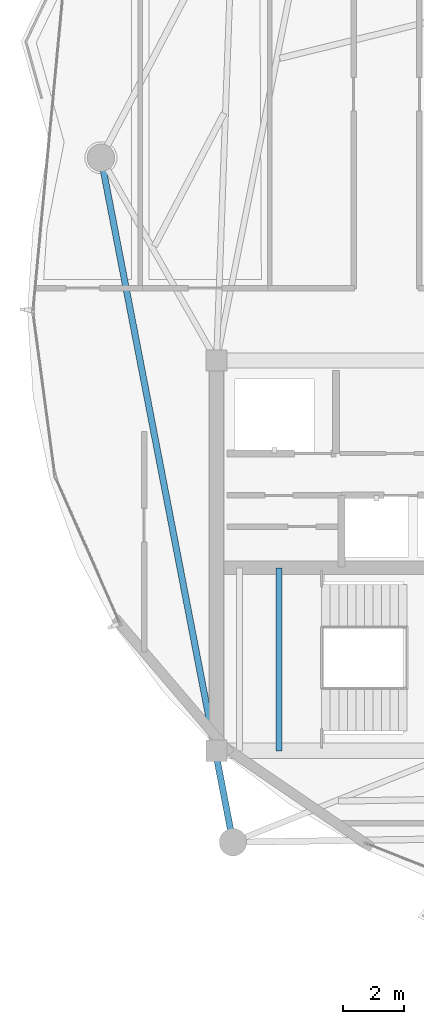
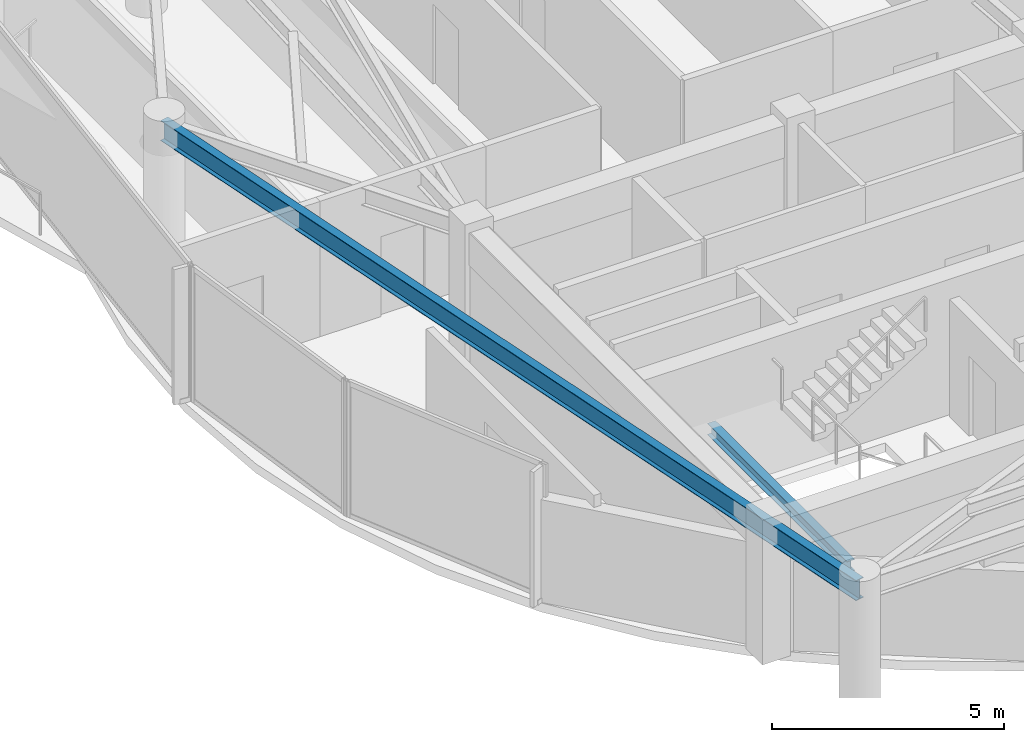
# One storey, part 4 of 23: 2 beams.
"""IFC4 building model written with IfcOpenShell, lengths in metres."""

from ifc_helpers import new_model, si_unit, direction, frame, origin, origin_2d, place, context, subcontext, project, spatial, i_section, extrude, material, material_profile, profile_set, type_object, element, save


model = new_model("IFC4")

# Units and contexts
model_context = context("Model", 3, precision=1e-05, world=origin(), true_north=direction((0.0, 1.0)))
body_context = subcontext(model_context, "Body", "Model", "MODEL_VIEW")
ifc_project = project(units=[si_unit("LENGTHUNIT", "METRE"), si_unit("AREAUNIT", "SQUARE_METRE"), si_unit("VOLUMEUNIT", "CUBIC_METRE"), si_unit("PLANEANGLEUNIT", "RADIAN"), si_unit("MASSUNIT", "GRAM", prefix="KILO")], contexts=[model_context])

# Site, building, storey
site_placement = place(None, origin())
site = spatial("IfcSite", under=ifc_project, at=site_placement, CompositionType="ELEMENT")
building_placement = place(site_placement, origin())
building = spatial("IfcBuilding", under=site, at=building_placement, Name="Kazevale Care Tower and Concert Hall", CompositionType="ELEMENT")
storey_placement = place(building_placement, frame((0.0, 0.0, 270.0)))
storey = spatial("IfcBuildingStorey", under=building, at=storey_placement, Name="L71", CompositionType="ELEMENT", Elevation=270.0)

# Beams
ifc_material = material(Name="Steel ASTM A572 Gr 50", Category="steel")
ifc_material_profile_1 = material_profile(ifc_material, i_section(OverallWidth=0.202880859375, OverallDepth=0.302978515625, WebThickness=0.007568359375, FlangeThickness=0.01318359375, at=origin_2d()), Name="W310x60")
ifc_profile_set_1 = profile_set([ifc_material_profile_1], Name="Steel ASTM A572 Gr 50")
beam_type_1 = type_object("IfcBeamType", Name="Stair & Balcony Trimmer W310x60", PredefinedType="BEAM", material=ifc_profile_set_1)
beam_1_placement = place(storey_placement, frame((24.050048828125, 23.60009765625, 1.548583984375), z_axis=(0.0, 1.0, 0.0), x_axis=(-1.0, 0.0, 0.0)))
element("IfcBeam", 1, at=beam_1_placement, inside=storey, type_object=beam_type_1, Name="beam:L71:sttrim:ST1b", PredefinedType="BEAM", context=body_context, shape_type="SweptSolid", body=[
    extrude(i_section(OverallWidth=0.202880859375, OverallDepth=0.302978515625, WebThickness=0.007568359375, FlangeThickness=0.01318359375, at=origin_2d()), origin(), (0.0, 0.0, 1.0), 6.0),
])
ifc_material_profile_2 = material_profile(ifc_material, i_section(OverallWidth=0.208984375, OverallDepth=0.532958984375, WebThickness=0.01025390625, FlangeThickness=0.015625, at=origin_2d()), Name="W530x92")
ifc_profile_set_2 = profile_set([ifc_material_profile_2], Name="Steel ASTM A572 Gr 50")
beam_type_2 = type_object("IfcBeamType", Name="Upper Ring Beam W530x92", PredefinedType="BEAM", material=ifc_profile_set_2)
beam_2_placement = place(storey_placement, frame((18.2099609375, 43.050048828125, 3.29345703125), z_axis=(0.189386387255, -0.981902640959, 0.0), x_axis=(0.981902640959, 0.189386387255, 0.0)))
element("IfcBeam", 2, at=beam_2_placement, inside=storey, type_object=beam_type_2, Name="beam:L71:ring:09", PredefinedType="BEAM", context=body_context, shape_type="SweptSolid", body=[
    extrude(i_section(OverallWidth=0.208984375, OverallDepth=0.532958984375, WebThickness=0.01025390625, FlangeThickness=0.015625, at=origin_2d()), origin(), (0.0, 0.0, 1.0), 22.86376953125),
])

save(model, "model.ifc")
